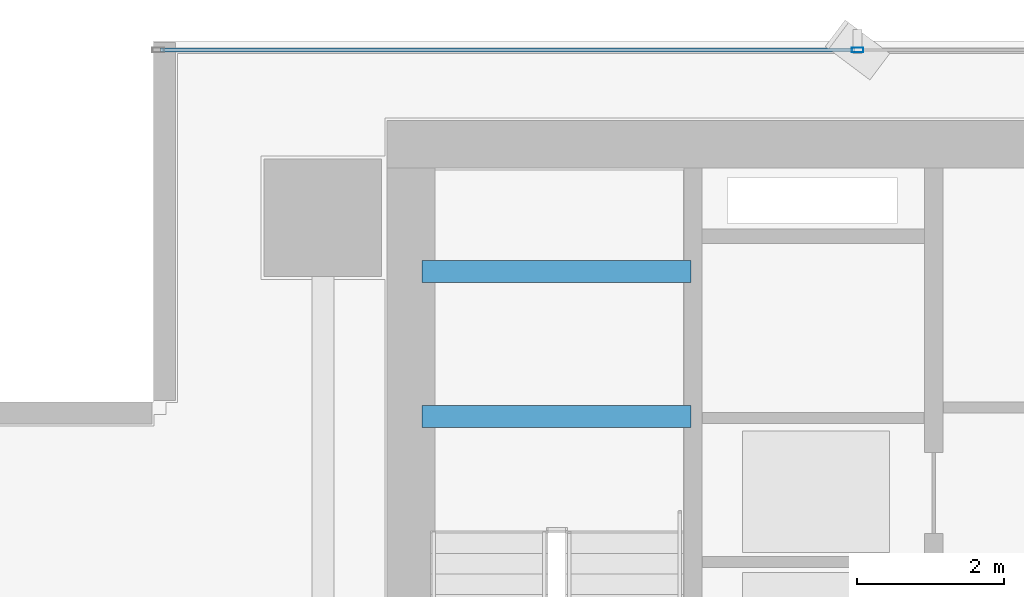
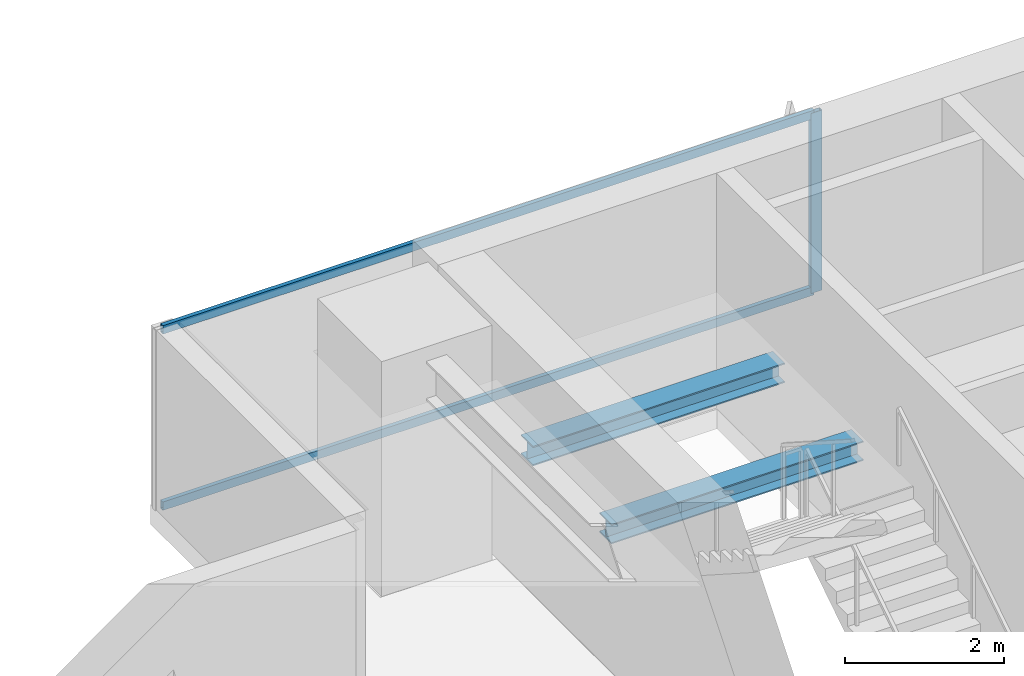
# One storey, part 15 of 29: 3 members, 2 beams, 1 element without a shape of its own.
"""IFC4 building model written with IfcOpenShell, lengths in metres."""

from ifc_helpers import new_model, si_unit, direction, frame, origin, origin_2d, place, context, subcontext, project, spatial, hollow_rectangle, i_section, extrude, source, transform, mapped, material, layer, layer_set, material_profile, profile_set, type_object, element, aggregate, save


model = new_model("IFC4")

# Units and contexts
model_context = context("Model", 3, precision=1e-05, world=origin(), true_north=direction((0.0, 1.0)))
body_context = subcontext(model_context, "Body", "Model", "MODEL_VIEW")
ifc_project = project(units=[si_unit("LENGTHUNIT", "METRE"), si_unit("AREAUNIT", "SQUARE_METRE"), si_unit("VOLUMEUNIT", "CUBIC_METRE"), si_unit("PLANEANGLEUNIT", "RADIAN"), si_unit("MASSUNIT", "GRAM", prefix="KILO")], contexts=[model_context])

# Site, building, storey
site_placement = place(None, origin())
site = spatial("IfcSite", under=ifc_project, at=site_placement, CompositionType="ELEMENT")
building_placement = place(site_placement, origin())
building = spatial("IfcBuilding", under=site, at=building_placement, Name="Sumidabori Civic Tower", CompositionType="ELEMENT")
storey_placement = place(building_placement, frame((0.0, 0.0, 131.60009765625)))
storey = spatial("IfcBuildingStorey", under=building, at=storey_placement, Name="L33", CompositionType="ELEMENT", Elevation=131.60009765625)

# Beams
ifc_material_1 = material(Name="Steel SN490", Category="steel")
ifc_material_profile_1 = material_profile(ifc_material_1, i_section(OverallWidth=0.300048828125, OverallDepth=0.300048828125, WebThickness=0.010986328125, FlangeThickness=0.01904296875, at=origin_2d()), Name="HE 300 B")
ifc_profile_set_1 = profile_set([ifc_material_profile_1], Name="Steel SN490")
beam_type = type_object("IfcBeamType", Name="BM-LDG-300", PredefinedType="BEAM", material=ifc_profile_set_1)
shared_shape_1 = source(origin(), body_context, "Body", "SweptSolid", [
    extrude(i_section(OverallWidth=0.300048828125, OverallDepth=0.300048828125, WebThickness=0.010986328125, FlangeThickness=0.01904296875, at=origin_2d()), origin(), (0.0, 0.0, 1.0), 3.64990234375),
])
for number, where, z_axis, x_axis, name in (
    (1, (-15.449951171875, 20.09765625, 1.449951171875), (1.0, 0.0, 0.0), (0.0, 1.0, 0.0), "Stair ST-1 Landing Support Beam L33-1A"),
    (2, (-15.449951171875, 22.069580078125, 1.449951171875), (1.0, 0.0, 0.0), (0.0, 1.0, 0.0), "Stair ST-1 Landing Trimmer Beam L33-1B"),
):
    element("IfcBeam", number, at=place(storey_placement, frame(where, z_axis=z_axis, x_axis=x_axis)), inside=storey, type_object=beam_type, Name=name, PredefinedType="BEAM", context=body_context, shape_type="MappedRepresentation", body=[
        mapped(shared_shape_1, transform((0.0, 0.0, 0.0), x_axis=(1.0, 0.0, 0.0), y_axis=(0.0, 1.0, 0.0), z_axis=(0.0, 0.0, 1.0), scale=1.0)),
    ])

# Curtain wall, members
ifc_material_2 = material(Name="Anodised Bronze Aluminium AW-6063-T6", Category="aluminium")
ifc_layer = layer(ifc_material_2, 0.179931640625, Name="Anodised Bronze Aluminium AW-6063-T6")
ifc_layer_set = layer_set([ifc_layer], Name="Anodised Bronze Aluminium AW-6063-T6")
curtain_wall_type = type_object("IfcCurtainWallType", Name="CW-SYS-3", PredefinedType="NOTDEFINED", material=ifc_layer_set)
curtain_wall_placement = place(storey_placement, origin())
curtain_wall = element("IfcCurtainWall", 3, at=curtain_wall_placement, inside=storey, type_object=curtain_wall_type, Name="Curtain Wall CW:L33:R07", PredefinedType="NOTDEFINED")
ifc_material_profile_2 = material_profile(ifc_material_2, hollow_rectangle(XDim=0.06494140625, YDim=0.159912109375, WallThickness=0.0048828125, at=origin_2d()), Name="ALU MULLION 160x65")
ifc_profile_set_2 = profile_set([ifc_material_profile_2], Name="Anodised Bronze Aluminium AW-6063-T6")
member_type_1 = type_object("IfcMemberType", Name="CW-MUL-160", PredefinedType="MULLION", material=ifc_profile_set_2)
shared_shape_2 = source(origin(), body_context, "Body", "SweptSolid", [
    extrude(hollow_rectangle(XDim=0.06494140625, YDim=0.159912109375, WallThickness=0.0048828125, at=origin_2d()), origin(), (0.0, 0.0, 1.0), 2.760009765625),
])
member_1_placement = place(storey_placement, frame((-9.534912109375, 25.080078125, 0.0), z_axis=(0.0, 0.0, 1.0), x_axis=(0.0, -1.0, 0.0)))
member_1 = element("IfcMember", 4, at=member_1_placement, type_object=member_type_1, Name="CW-3 mullion 4", PredefinedType="MULLION", context=body_context, shape_type="MappedRepresentation", body=[
    mapped(shared_shape_2, transform((0.0, 0.0, 0.0), x_axis=(1.0, 0.0, 0.0), y_axis=(0.0, 1.0, 0.0), z_axis=(0.0, 0.0, 1.0), scale=1.0)),
])
ifc_material_profile_3 = material_profile(ifc_material_2, hollow_rectangle(XDim=0.06005859375, YDim=0.1298828125, WallThickness=0.0048828125, at=origin_2d()), Name="ALU TRANSOM 130x60")
ifc_profile_set_3 = profile_set([ifc_material_profile_3], Name="Anodised Bronze Aluminium AW-6063-T6")
member_type_2 = type_object("IfcMemberType", Name="CW-TRN-130", PredefinedType="USERDEFINED", material=ifc_profile_set_3)
shared_shape_3 = source(origin(), body_context, "Body", "SweptSolid", [
    extrude(hollow_rectangle(XDim=0.06005859375, YDim=0.1298828125, WallThickness=0.0048828125, at=origin_2d()), origin(), (0.0, 0.0, 1.0), 9.4375),
])
member_2_placement = place(storey_placement, frame((-9.5673828125, 25.080078125, 0.02978515625), z_axis=(-1.0, 0.0, 0.0), x_axis=(0.0, -1.0, 0.0)))
member_2 = element("IfcMember", 5, at=member_2_placement, type_object=member_type_2, Name="CW-3 transom 4.1", ObjectType="TRANSOM", PredefinedType="USERDEFINED", context=body_context, shape_type="MappedRepresentation", body=[
    mapped(shared_shape_3, transform((0.0, 0.0, 0.0), x_axis=(1.0, 0.0, 0.0), y_axis=(0.0, 1.0, 0.0), z_axis=(0.0, 0.0, 1.0), scale=1.0)),
])
member_3_placement = place(storey_placement, frame((-9.5673828125, 25.080078125, 2.72998046875), z_axis=(-1.0, 0.0, 0.0), x_axis=(0.0, -1.0, 0.0)))
member_3 = element("IfcMember", 6, at=member_3_placement, type_object=member_type_2, Name="CW-3 transom 4.2", ObjectType="TRANSOM", PredefinedType="USERDEFINED", context=body_context, shape_type="MappedRepresentation", body=[
    mapped(shared_shape_3, transform((0.0, 0.0, 0.0), x_axis=(1.0, 0.0, 0.0), y_axis=(0.0, 1.0, 0.0), z_axis=(0.0, 0.0, 1.0), scale=1.0)),
])
aggregate(curtain_wall, [member_1, member_2, member_3])

save(model, "model.ifc")
